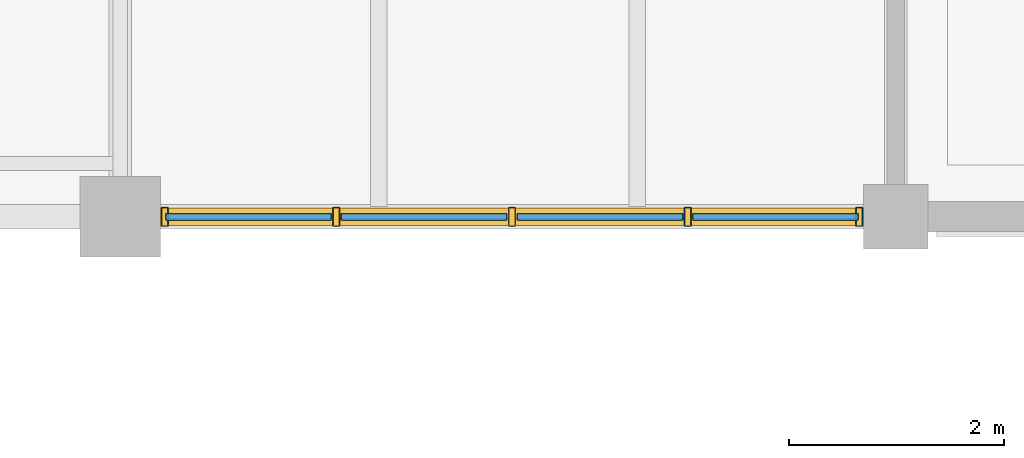
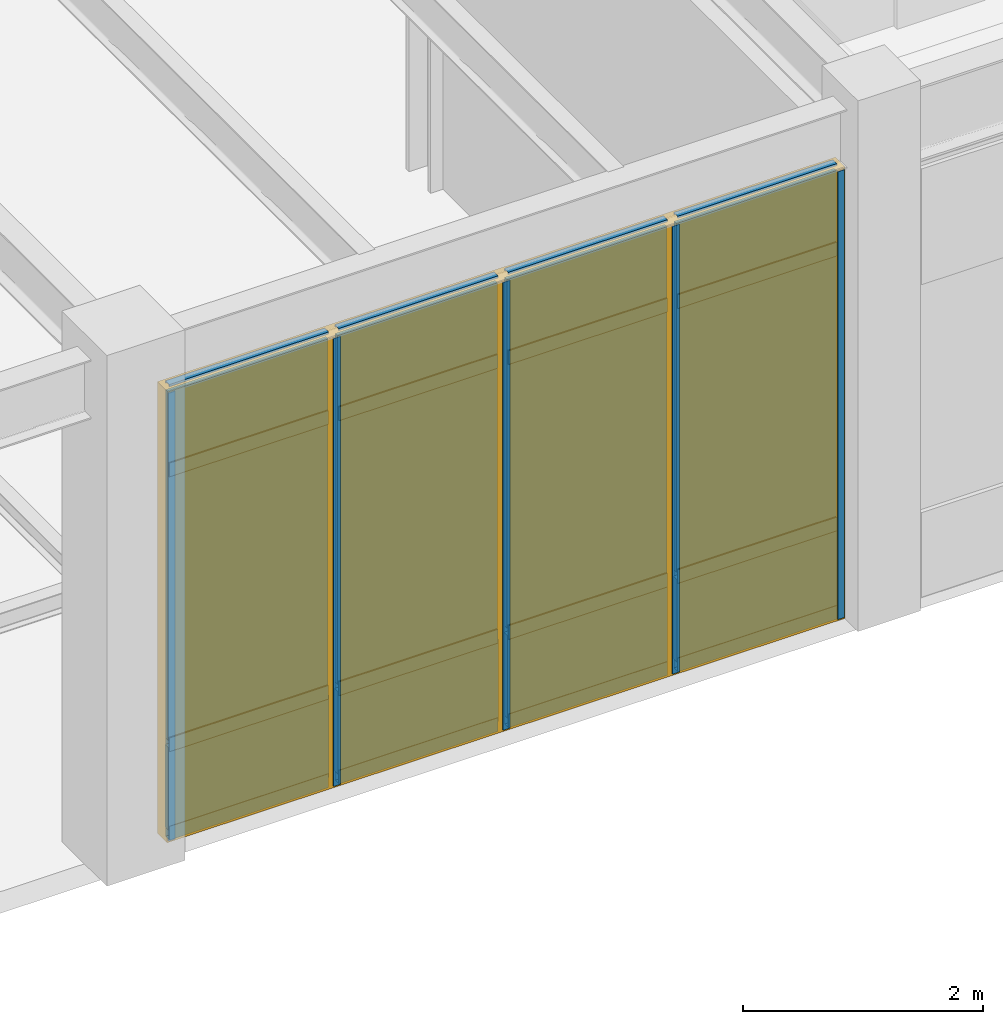
# One storey, part 69 of 97: 21 members, 8 plates, 1 curtain wall.
"""IFC4 building model written with IfcOpenShell, lengths in metres."""

from ifc_helpers import new_model, si_unit, direction, frame, origin, origin_2d, place, context, subcontext, project, spatial, rectangle, hollow_rectangle, extrude, material, layer, layer_set, material_profile, profile_set, type_object, element, aggregate, save


model = new_model("IFC4")

# Units and contexts
model_context = context("Model", 3, precision=1e-05, world=origin(), true_north=direction((0.0, 1.0)))
body_context = subcontext(model_context, "Body", "Model", "MODEL_VIEW")
ifc_project = project(units=[si_unit("LENGTHUNIT", "METRE"), si_unit("AREAUNIT", "SQUARE_METRE"), si_unit("VOLUMEUNIT", "CUBIC_METRE"), si_unit("PLANEANGLEUNIT", "RADIAN"), si_unit("MASSUNIT", "GRAM", prefix="KILO")], contexts=[model_context])

# Member
ifc_material_1 = material(Name="Anodized Aluminium 6063-T6", Category="aluminium")
ifc_material_profile_1 = material_profile(ifc_material_1, hollow_rectangle(XDim=0.06494140625, YDim=0.179931640625, WallThickness=0.00390625, at=origin_2d()), Name="ALU 65x180x4")
ifc_profile_set_1 = profile_set([ifc_material_profile_1], Name="Anodized Aluminium 6063-T6")
member_type_1 = type_object("IfcMemberType", Name="CWM-65X150", PredefinedType="MULLION", material=ifc_profile_set_1)
site_placement = place(None, origin())
building_placement = place(site_placement, origin())
storey_placement = place(building_placement, origin())
member_1_placement = place(storey_placement, frame((100.4599609375, 79.199951171875, 0.02001953125), z_axis=(0.0, 0.0, 1.0), x_axis=(1.0, 0.0, 0.0)))
member_1 = element("IfcMember", 1, at=member_1_placement, type_object=member_type_1, Name="Curtain wall mullion CW-L01-13-11-S-00", PredefinedType="MULLION", context=body_context, shape_type="SweptSolid", body=[
    extrude(hollow_rectangle(XDim=0.06494140625, YDim=0.179931640625, WallThickness=0.00390625, at=origin_2d()), origin(), (0.0, 0.0, 1.0), 4.557861328125),
])

member_2_placement = place(storey_placement, frame((98.868896484375, 79.199951171875, 0.02001953125), z_axis=(0.0, 0.0, 1.0), x_axis=(1.0, 0.0, 0.0)))
member_2 = element("IfcMember", 2, at=member_2_placement, type_object=member_type_1, Name="Curtain wall mullion CW-L01-13-11-S-01", PredefinedType="MULLION", context=body_context, shape_type="SweptSolid", body=[
    extrude(hollow_rectangle(XDim=0.06494140625, YDim=0.179931640625, WallThickness=0.00390625, at=origin_2d()), origin(), (0.0, 0.0, 1.0), 4.557861328125),
])

member_3_placement = place(storey_placement, frame((97.237548828125, 79.199951171875, 0.02001953125), z_axis=(0.0, 0.0, 1.0), x_axis=(1.0, 0.0, 0.0)))
member_3 = element("IfcMember", 3, at=member_3_placement, type_object=member_type_1, Name="Curtain wall mullion CW-L01-13-11-S-02", PredefinedType="MULLION", context=body_context, shape_type="SweptSolid", body=[
    extrude(hollow_rectangle(XDim=0.06494140625, YDim=0.179931640625, WallThickness=0.00390625, at=origin_2d()), origin(), (0.0, 0.0, 1.0), 4.557861328125),
])

member_4_placement = place(storey_placement, frame((95.606201171875, 79.199951171875, 0.02001953125), z_axis=(0.0, 0.0, 1.0), x_axis=(1.0, 0.0, 0.0)))
member_4 = element("IfcMember", 4, at=member_4_placement, type_object=member_type_1, Name="Curtain wall mullion CW-L01-13-11-S-03", PredefinedType="MULLION", context=body_context, shape_type="SweptSolid", body=[
    extrude(hollow_rectangle(XDim=0.06494140625, YDim=0.179931640625, WallThickness=0.00390625, at=origin_2d()), origin(), (0.0, 0.0, 1.0), 4.557861328125),
])

member_5_placement = place(storey_placement, frame((94.014892578125, 79.199951171875, 0.02001953125), z_axis=(0.0, 0.0, 1.0), x_axis=(1.0, 0.0, 0.0)))
member_5 = element("IfcMember", 5, at=member_5_placement, type_object=member_type_1, Name="Curtain wall mullion CW-L01-13-11-S-04", PredefinedType="MULLION", context=body_context, shape_type="SweptSolid", body=[
    extrude(hollow_rectangle(XDim=0.06494140625, YDim=0.179931640625, WallThickness=0.00390625, at=origin_2d()), origin(), (0.0, 0.0, 1.0), 4.557861328125),
])

ifc_material_profile_2 = material_profile(ifc_material_1, hollow_rectangle(XDim=0.06494140625, YDim=0.139892578125, WallThickness=0.00390625, at=origin_2d()), Name="ALU 65x140x4")
ifc_profile_set_2 = profile_set([ifc_material_profile_2], Name="Anodized Aluminium 6063-T6")
member_type_2 = type_object("IfcMemberType", Name="CWT-65X120", PredefinedType="USERDEFINED", material=ifc_profile_set_2)
member_6_placement = place(storey_placement, frame((100.449951171875, 79.199951171875, 0.050048828125), z_axis=(-1.0, 0.0, 0.0), x_axis=(0.0, -1.0, 0.0)))
member_6 = element("IfcMember", 6, at=member_6_placement, type_object=member_type_2, Name="Curtain wall transom CW-L01-13-11-S-1.01", ObjectType="TRANSOM", PredefinedType="USERDEFINED", context=body_context, shape_type="SweptSolid", body=[
    extrude(hollow_rectangle(XDim=0.06494140625, YDim=0.139892578125, WallThickness=0.00390625, at=origin_2d()), origin(), (0.0, 0.0, 1.0), 1.53125),
])

member_7_placement = place(storey_placement, frame((98.818603515625, 79.199951171875, 0.050048828125), z_axis=(-1.0, 0.0, 0.0), x_axis=(0.0, -1.0, 0.0)))
member_7 = element("IfcMember", 7, at=member_7_placement, type_object=member_type_2, Name="Curtain wall transom CW-L01-13-11-S-1.02", ObjectType="TRANSOM", PredefinedType="USERDEFINED", context=body_context, shape_type="SweptSolid", body=[
    extrude(hollow_rectangle(XDim=0.06494140625, YDim=0.139892578125, WallThickness=0.00390625, at=origin_2d()), origin(), (0.0, 0.0, 1.0), 1.531005859375),
])

member_8_placement = place(storey_placement, frame((97.1875, 79.199951171875, 0.050048828125), z_axis=(-1.0, 0.0, 0.0), x_axis=(0.0, -1.0, 0.0)))
member_8 = element("IfcMember", 8, at=member_8_placement, type_object=member_type_2, Name="Curtain wall transom CW-L01-13-11-S-1.03", ObjectType="TRANSOM", PredefinedType="USERDEFINED", context=body_context, shape_type="SweptSolid", body=[
    extrude(hollow_rectangle(XDim=0.06494140625, YDim=0.139892578125, WallThickness=0.00390625, at=origin_2d()), origin(), (0.0, 0.0, 1.0), 1.53125),
])

member_9_placement = place(storey_placement, frame((95.55615234375, 79.199951171875, 0.050048828125), z_axis=(-1.0, 0.0, 0.0), x_axis=(0.0, -1.0, 0.0)))
member_9 = element("IfcMember", 9, at=member_9_placement, type_object=member_type_2, Name="Curtain wall transom CW-L01-13-11-S-1.04", ObjectType="TRANSOM", PredefinedType="USERDEFINED", context=body_context, shape_type="SweptSolid", body=[
    extrude(hollow_rectangle(XDim=0.06494140625, YDim=0.139892578125, WallThickness=0.00390625, at=origin_2d()), origin(), (0.0, 0.0, 1.0), 1.53125),
])

member_10_placement = place(storey_placement, frame((100.449951171875, 79.199951171875, 0.949951171875), z_axis=(-1.0, 0.0, 0.0), x_axis=(0.0, -1.0, 0.0)))
member_10 = element("IfcMember", 10, at=member_10_placement, type_object=member_type_2, Name="Curtain wall transom CW-L01-13-11-S-2.01", ObjectType="TRANSOM", PredefinedType="USERDEFINED", context=body_context, shape_type="SweptSolid", body=[
    extrude(hollow_rectangle(XDim=0.06494140625, YDim=0.139892578125, WallThickness=0.00390625, at=origin_2d()), origin(), (0.0, 0.0, 1.0), 1.53125),
])

member_11_placement = place(storey_placement, frame((98.818603515625, 79.199951171875, 0.949951171875), z_axis=(-1.0, 0.0, 0.0), x_axis=(0.0, -1.0, 0.0)))
member_11 = element("IfcMember", 11, at=member_11_placement, type_object=member_type_2, Name="Curtain wall transom CW-L01-13-11-S-2.02", ObjectType="TRANSOM", PredefinedType="USERDEFINED", context=body_context, shape_type="SweptSolid", body=[
    extrude(hollow_rectangle(XDim=0.06494140625, YDim=0.139892578125, WallThickness=0.00390625, at=origin_2d()), origin(), (0.0, 0.0, 1.0), 1.531005859375),
])

member_12_placement = place(storey_placement, frame((97.1875, 79.199951171875, 0.949951171875), z_axis=(-1.0, 0.0, 0.0), x_axis=(0.0, -1.0, 0.0)))
member_12 = element("IfcMember", 12, at=member_12_placement, type_object=member_type_2, Name="Curtain wall transom CW-L01-13-11-S-2.03", ObjectType="TRANSOM", PredefinedType="USERDEFINED", context=body_context, shape_type="SweptSolid", body=[
    extrude(hollow_rectangle(XDim=0.06494140625, YDim=0.139892578125, WallThickness=0.00390625, at=origin_2d()), origin(), (0.0, 0.0, 1.0), 1.53125),
])

member_13_placement = place(storey_placement, frame((95.55615234375, 79.199951171875, 0.949951171875), z_axis=(-1.0, 0.0, 0.0), x_axis=(0.0, -1.0, 0.0)))
member_13 = element("IfcMember", 13, at=member_13_placement, type_object=member_type_2, Name="Curtain wall transom CW-L01-13-11-S-2.04", ObjectType="TRANSOM", PredefinedType="USERDEFINED", context=body_context, shape_type="SweptSolid", body=[
    extrude(hollow_rectangle(XDim=0.06494140625, YDim=0.139892578125, WallThickness=0.00390625, at=origin_2d()), origin(), (0.0, 0.0, 1.0), 1.53125),
])

member_14_placement = place(storey_placement, frame((100.449951171875, 79.199951171875, 3.748046875), z_axis=(-1.0, 0.0, 0.0), x_axis=(0.0, -1.0, 0.0)))
member_14 = element("IfcMember", 14, at=member_14_placement, type_object=member_type_2, Name="Curtain wall transom CW-L01-13-11-S-3.01", ObjectType="TRANSOM", PredefinedType="USERDEFINED", context=body_context, shape_type="SweptSolid", body=[
    extrude(hollow_rectangle(XDim=0.06494140625, YDim=0.139892578125, WallThickness=0.00390625, at=origin_2d()), origin(), (0.0, 0.0, 1.0), 1.53125),
])

member_15_placement = place(storey_placement, frame((98.818603515625, 79.199951171875, 3.748046875), z_axis=(-1.0, 0.0, 0.0), x_axis=(0.0, -1.0, 0.0)))
member_15 = element("IfcMember", 15, at=member_15_placement, type_object=member_type_2, Name="Curtain wall transom CW-L01-13-11-S-3.02", ObjectType="TRANSOM", PredefinedType="USERDEFINED", context=body_context, shape_type="SweptSolid", body=[
    extrude(hollow_rectangle(XDim=0.06494140625, YDim=0.139892578125, WallThickness=0.00390625, at=origin_2d()), origin(), (0.0, 0.0, 1.0), 1.531005859375),
])

member_16_placement = place(storey_placement, frame((97.1875, 79.199951171875, 3.748046875), z_axis=(-1.0, 0.0, 0.0), x_axis=(0.0, -1.0, 0.0)))
member_16 = element("IfcMember", 16, at=member_16_placement, type_object=member_type_2, Name="Curtain wall transom CW-L01-13-11-S-3.03", ObjectType="TRANSOM", PredefinedType="USERDEFINED", context=body_context, shape_type="SweptSolid", body=[
    extrude(hollow_rectangle(XDim=0.06494140625, YDim=0.139892578125, WallThickness=0.00390625, at=origin_2d()), origin(), (0.0, 0.0, 1.0), 1.53125),
])

member_17_placement = place(storey_placement, frame((95.55615234375, 79.199951171875, 3.748046875), z_axis=(-1.0, 0.0, 0.0), x_axis=(0.0, -1.0, 0.0)))
member_17 = element("IfcMember", 17, at=member_17_placement, type_object=member_type_2, Name="Curtain wall transom CW-L01-13-11-S-3.04", ObjectType="TRANSOM", PredefinedType="USERDEFINED", context=body_context, shape_type="SweptSolid", body=[
    extrude(hollow_rectangle(XDim=0.06494140625, YDim=0.139892578125, WallThickness=0.00390625, at=origin_2d()), origin(), (0.0, 0.0, 1.0), 1.53125),
])

member_18_placement = place(storey_placement, frame((100.449951171875, 79.199951171875, 4.548095703125), z_axis=(-1.0, 0.0, 0.0), x_axis=(0.0, -1.0, 0.0)))
member_18 = element("IfcMember", 18, at=member_18_placement, type_object=member_type_2, Name="Curtain wall transom CW-L01-13-11-S-4.01", ObjectType="TRANSOM", PredefinedType="USERDEFINED", context=body_context, shape_type="SweptSolid", body=[
    extrude(hollow_rectangle(XDim=0.06494140625, YDim=0.139892578125, WallThickness=0.00390625, at=origin_2d()), origin(), (0.0, 0.0, 1.0), 1.53125),
])

member_19_placement = place(storey_placement, frame((98.818603515625, 79.199951171875, 4.548095703125), z_axis=(-1.0, 0.0, 0.0), x_axis=(0.0, -1.0, 0.0)))
member_19 = element("IfcMember", 19, at=member_19_placement, type_object=member_type_2, Name="Curtain wall transom CW-L01-13-11-S-4.02", ObjectType="TRANSOM", PredefinedType="USERDEFINED", context=body_context, shape_type="SweptSolid", body=[
    extrude(hollow_rectangle(XDim=0.06494140625, YDim=0.139892578125, WallThickness=0.00390625, at=origin_2d()), origin(), (0.0, 0.0, 1.0), 1.531005859375),
])

member_20_placement = place(storey_placement, frame((97.1875, 79.199951171875, 4.548095703125), z_axis=(-1.0, 0.0, 0.0), x_axis=(0.0, -1.0, 0.0)))
member_20 = element("IfcMember", 20, at=member_20_placement, type_object=member_type_2, Name="Curtain wall transom CW-L01-13-11-S-4.03", ObjectType="TRANSOM", PredefinedType="USERDEFINED", context=body_context, shape_type="SweptSolid", body=[
    extrude(hollow_rectangle(XDim=0.06494140625, YDim=0.139892578125, WallThickness=0.00390625, at=origin_2d()), origin(), (0.0, 0.0, 1.0), 1.53125),
])

member_21_placement = place(storey_placement, frame((95.55615234375, 79.199951171875, 4.548095703125), z_axis=(-1.0, 0.0, 0.0), x_axis=(0.0, -1.0, 0.0)))
member_21 = element("IfcMember", 21, at=member_21_placement, type_object=member_type_2, Name="Curtain wall transom CW-L01-13-11-S-4.04", ObjectType="TRANSOM", PredefinedType="USERDEFINED", context=body_context, shape_type="SweptSolid", body=[
    extrude(hollow_rectangle(XDim=0.06494140625, YDim=0.139892578125, WallThickness=0.00390625, at=origin_2d()), origin(), (0.0, 0.0, 1.0), 1.53125),
])

# Plate
ifc_material_2 = material(Name="Double Low-E Insulated Glazing Unit", Category="glass")
ifc_layer_1 = layer(ifc_material_2, 0.0380859375)
ifc_layer_set_1 = layer_set([ifc_layer_1], Name="Double Low-E Insulated Glazing Unit")
plate_type_1 = type_object("IfcPlateType", Name="CWP-IGU-38", PredefinedType="CURTAIN_PANEL", material=ifc_layer_set_1)
plate_1_placement = place(storey_placement, frame((99.684326171875, 79.199951171875, 0.98974609375), z_axis=(0.0, 0.0, 1.0), x_axis=(-1.0, 0.0, 0.0)))
plate_1 = element("IfcPlate", 22, at=plate_1_placement, type_object=plate_type_1, Name="Curtain wall vision glazing CW-L01-13-11-S-01", PredefinedType="CURTAIN_PANEL", context=body_context, shape_type="SweptSolid", body=[
    extrude(rectangle(XDim=1.541259765625, YDim=0.0400390625, at=origin_2d()), origin(), (0.0, 0.0, 1.0), 3.548095703125),
])

plate_2_placement = place(storey_placement, frame((98.052978515625, 79.199951171875, 0.98974609375), z_axis=(0.0, 0.0, 1.0), x_axis=(-1.0, 0.0, 0.0)))
plate_2 = element("IfcPlate", 23, at=plate_2_placement, type_object=plate_type_1, Name="Curtain wall vision glazing CW-L01-13-11-S-02", PredefinedType="CURTAIN_PANEL", context=body_context, shape_type="SweptSolid", body=[
    extrude(rectangle(XDim=1.541259765625, YDim=0.0400390625, at=origin_2d()), origin(), (0.0, 0.0, 1.0), 3.548095703125),
])

plate_3_placement = place(storey_placement, frame((96.421875, 79.199951171875, 0.98974609375), z_axis=(0.0, 0.0, 1.0), x_axis=(-1.0, 0.0, 0.0)))
plate_3 = element("IfcPlate", 24, at=plate_3_placement, type_object=plate_type_1, Name="Curtain wall vision glazing CW-L01-13-11-S-03", PredefinedType="CURTAIN_PANEL", context=body_context, shape_type="SweptSolid", body=[
    extrude(rectangle(XDim=1.541259765625, YDim=0.0400390625, at=origin_2d()), origin(), (0.0, 0.0, 1.0), 3.548095703125),
])

plate_4_placement = place(storey_placement, frame((94.79052734375, 79.199951171875, 0.98974609375), z_axis=(0.0, 0.0, 1.0), x_axis=(-1.0, 0.0, 0.0)))
plate_4 = element("IfcPlate", 25, at=plate_4_placement, type_object=plate_type_1, Name="Curtain wall vision glazing CW-L01-13-11-S-04", PredefinedType="CURTAIN_PANEL", context=body_context, shape_type="SweptSolid", body=[
    extrude(rectangle(XDim=1.541259765625, YDim=0.0400390625, at=origin_2d()), origin(), (0.0, 0.0, 1.0), 3.548095703125),
])

ifc_material_3 = material(Name="Insulated Bronze Aluminium Spandrel", Category="aluminium")
ifc_layer_2 = layer(ifc_material_3, 0.06005859375)
ifc_layer_set_2 = layer_set([ifc_layer_2], Name="Insulated Bronze Aluminium Spandrel")
plate_type_2 = type_object("IfcPlateType", Name="CWP-SPN-60", PredefinedType="CURTAIN_PANEL", material=ifc_layer_set_2)
plate_5_placement = place(storey_placement, frame((99.684326171875, 79.199951171875, 0.080078125), z_axis=(0.0, 0.0, 1.0), x_axis=(-1.0, 0.0, 0.0)))
plate_5 = element("IfcPlate", 26, at=plate_5_placement, type_object=plate_type_2, Name="Curtain wall spandrel panel CW-L01-13-11-S-01", PredefinedType="CURTAIN_PANEL", context=body_context, shape_type="SweptSolid", body=[
    extrude(rectangle(XDim=1.541259765625, YDim=0.06005859375, at=origin_2d()), origin(), (0.0, 0.0, 1.0), 0.840087890625),
])

plate_6_placement = place(storey_placement, frame((98.052978515625, 79.199951171875, 0.080078125), z_axis=(0.0, 0.0, 1.0), x_axis=(-1.0, 0.0, 0.0)))
plate_6 = element("IfcPlate", 27, at=plate_6_placement, type_object=plate_type_2, Name="Curtain wall spandrel panel CW-L01-13-11-S-02", PredefinedType="CURTAIN_PANEL", context=body_context, shape_type="SweptSolid", body=[
    extrude(rectangle(XDim=1.541259765625, YDim=0.06005859375, at=origin_2d()), origin(), (0.0, 0.0, 1.0), 0.840087890625),
])

plate_7_placement = place(storey_placement, frame((96.421875, 79.199951171875, 0.080078125), z_axis=(0.0, 0.0, 1.0), x_axis=(-1.0, 0.0, 0.0)))
plate_7 = element("IfcPlate", 28, at=plate_7_placement, type_object=plate_type_2, Name="Curtain wall spandrel panel CW-L01-13-11-S-03", PredefinedType="CURTAIN_PANEL", context=body_context, shape_type="SweptSolid", body=[
    extrude(rectangle(XDim=1.541259765625, YDim=0.06005859375, at=origin_2d()), origin(), (0.0, 0.0, 1.0), 0.840087890625),
])

plate_8_placement = place(storey_placement, frame((94.79052734375, 79.199951171875, 0.080078125), z_axis=(0.0, 0.0, 1.0), x_axis=(-1.0, 0.0, 0.0)))
plate_8 = element("IfcPlate", 29, at=plate_8_placement, type_object=plate_type_2, Name="Curtain wall spandrel panel CW-L01-13-11-S-04", PredefinedType="CURTAIN_PANEL", context=body_context, shape_type="SweptSolid", body=[
    extrude(rectangle(XDim=1.541259765625, YDim=0.06005859375, at=origin_2d()), origin(), (0.0, 0.0, 1.0), 0.840087890625),
])

# Site, building, storey
site = spatial("IfcSite", under=ifc_project, at=site_placement, CompositionType="ELEMENT")
building = spatial("IfcBuilding", under=site, at=building_placement, Name="Sillqori Civic Hall", CompositionType="ELEMENT")
storey = spatial("IfcBuildingStorey", under=building, at=storey_placement, Name="L01", CompositionType="ELEMENT", Elevation=0.0)

# Curtain wall
ifc_material_4 = material(Name="Anodized Aluminium Curtain Wall System", Category="aluminium")
curtain_wall_type = type_object("IfcCurtainWallType", Name="CW-SF-540", PredefinedType="NOTDEFINED", material=ifc_material_4)
curtain_wall_placement = place(storey_placement, frame((97.237548828125, 79.199951171875, 0.0), z_axis=(0.0, 0.0, 1.0), x_axis=(-1.0, 0.0, 0.0)))
curtain_wall = element("IfcCurtainWall", 30, at=curtain_wall_placement, inside=storey, type_object=curtain_wall_type, Name="L01 unitised curtain wall CW-L01-13-11-S", PredefinedType="NOTDEFINED", context=body_context, shape_type="SweptSolid", body=[
    extrude(rectangle(XDim=6.52490234375, YDim=0.159912109375, at=origin_2d()), origin(), (0.0, 0.0, 1.0), 4.597900390625),
])

aggregate(curtain_wall, [member_1, member_2, member_3, member_4, member_5, member_6, member_7, member_8, member_9, member_10, member_11, member_12, member_13, member_14, member_15, member_16, member_17, member_18, member_19, member_20, member_21, plate_5, plate_1, plate_6, plate_2, plate_7, plate_3, plate_8, plate_4])

save(model, "model.ifc")
